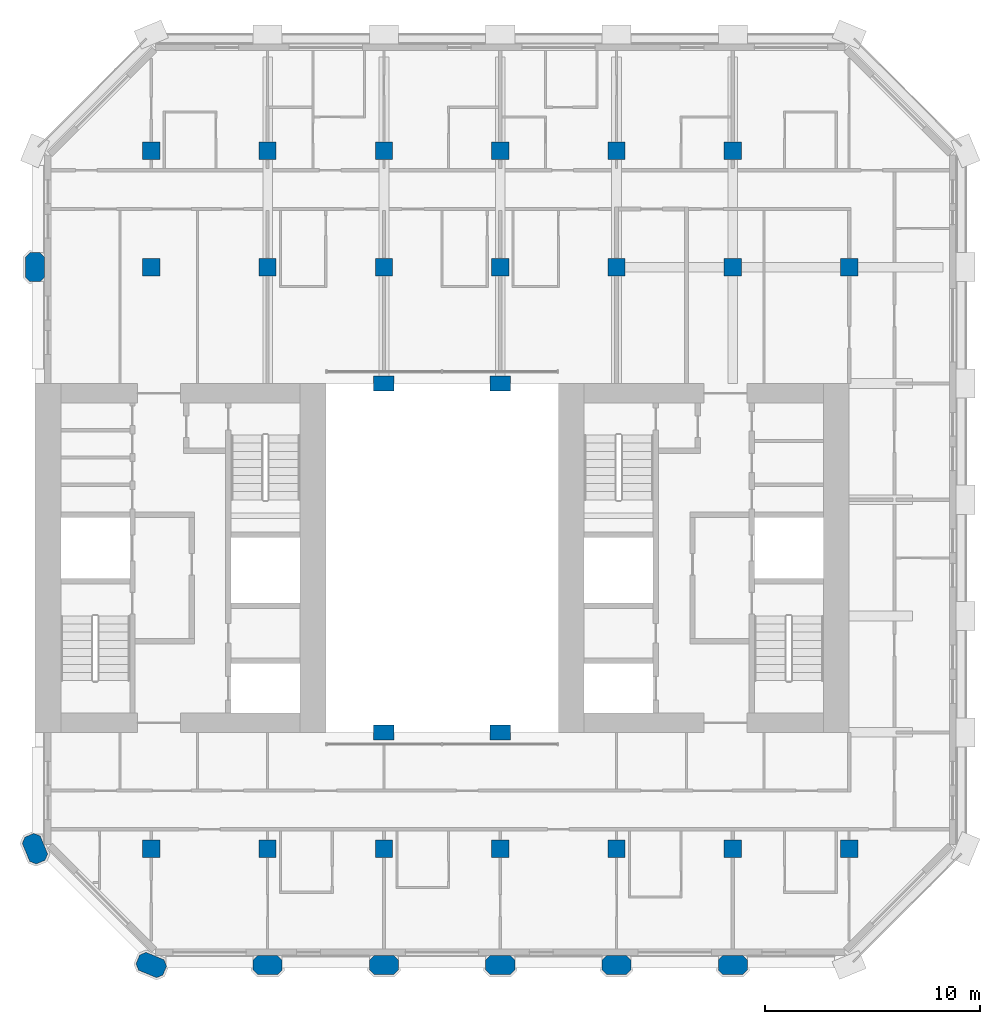
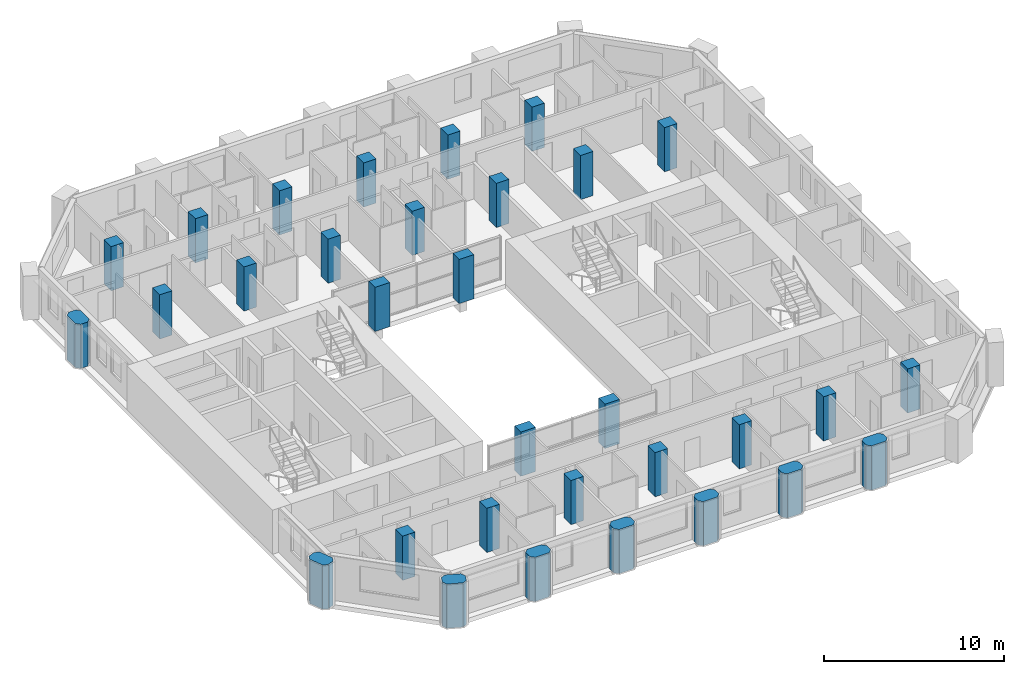
# One storey, part 1 of 13: 32 columns.
"""IFC4 building model written with IfcOpenShell, lengths in metres."""

import ifcopenshell
import ifcopenshell.guid

model = None  # the IFC model being written
_history = None  # IfcOwnerHistory: only IFC2X3 demands one
_inside = {}  # id of a spatial element -> (the spatial element, [elements in it])
_under = {}  # id of a project, library or spatial element -> (it, [spatial elements below it])
_declared = {}  # id of a project -> (the project, [libraries it declares])
_typed = {}  # id of a type object -> (the type object, [elements of that type])
_made_of = {}  # id of a material, layer set ... -> (it, [elements and type objects made of it])


def new_model(schema):
    """Start an empty IFC model of exactly this schema.

    Asked for "IFC4X3", IfcOpenShell would pick the latest addendum, in which some entities
    have other attributes; the version numbers below select the first issue.
    IFC2X3 requires an IfcOwnerHistory on every rooted entity: one is made here for all.
    """
    global model, _history
    if schema == "IFC4X3":
        model = ifcopenshell.file(schema_version=(4, 3, 0, 0))
    else:
        model = ifcopenshell.file(schema=schema)
    _inside.clear()
    _under.clear()
    _declared.clear()
    _typed.clear()
    _made_of.clear()
    _history = None
    if model.schema == "IFC2X3":
        org = make("IfcOrganization", Name="unknown")
        user = make(
            "IfcPersonAndOrganization",
            ThePerson=make("IfcPerson", FamilyName="unknown"),
            TheOrganization=org,
        )
        app = make(
            "IfcApplication",
            ApplicationDeveloper=org,
            Version="unknown",
            ApplicationFullName="unknown",
            ApplicationIdentifier="unknown",
        )
        _history = make(
            "IfcOwnerHistory",
            OwningUser=user,
            OwningApplication=app,
            ChangeAction="ADDED",
            CreationDate=0,
        )
    return model


def make(cls, **values):
    """One entity of the class cls with the attributes given. An attribute that is None is left unset."""
    return model.create_entity(
        cls, **{name: value for name, value in values.items() if value is not None}
    )


def rooted(cls, **values):
    """An entity with a GlobalId (a new one), such as an element, a storey or a relation."""
    return make(cls, GlobalId=ifcopenshell.guid.new(), OwnerHistory=_history, **values)


def si_unit(unit_type, name, prefix=None):
    """IfcSIUnit, for example si_unit("LENGTHUNIT", "METRE", prefix="MILLI")."""
    return make("IfcSIUnit", UnitType=unit_type, Prefix=prefix, Name=name)


def assignment(units):
    """IfcUnitAssignment: the units of a project."""
    return None if units is None else make("IfcUnitAssignment", Units=units)


def point(xyz):
    """IfcCartesianPoint."""
    return None if xyz is None else make("IfcCartesianPoint", Coordinates=xyz)


def direction(xyz):
    """IfcDirection."""
    return None if xyz is None else make("IfcDirection", DirectionRatios=xyz)


def frame(location, z_axis=None, x_axis=None):
    """IfcAxis2Placement3D, a coordinate frame: its origin and axes. An axis left out is left unset."""
    return make(
        "IfcAxis2Placement3D",
        Location=point(location),
        Axis=direction(z_axis),
        RefDirection=direction(x_axis),
    )


def frame_2d(location, x_axis=None):
    """IfcAxis2Placement2D, a coordinate frame in the plane: its origin and x axis."""
    return make(
        "IfcAxis2Placement2D", Location=point(location), RefDirection=direction(x_axis)
    )


def origin():
    """The frame at (0, 0, 0) with its axes left unset."""
    return frame((0.0, 0.0, 0.0))


def origin_2d():
    """The frame at (0, 0) in the plane with its x axis left unset."""
    return frame_2d((0.0, 0.0))


def place(relative_to, where):
    """IfcLocalPlacement: puts the frame where relative to a parent placement (None: the world)."""
    return make(
        "IfcLocalPlacement", PlacementRelTo=relative_to, RelativePlacement=where
    )


def context(
    kind, dimensions, precision=None, world=None, true_north=None, identifier=None
):
    """IfcGeometricRepresentationContext, for example the 3D "Model" context."""
    return make(
        "IfcGeometricRepresentationContext",
        ContextIdentifier=identifier,
        ContextType=kind,
        CoordinateSpaceDimension=dimensions,
        Precision=precision,
        WorldCoordinateSystem=world,
        TrueNorth=true_north,
    )


def subcontext(parent, identifier, kind, view, scale=None):
    """IfcGeometricRepresentationSubContext, for example "Body" below "Model"."""
    return make(
        "IfcGeometricRepresentationSubContext",
        ContextIdentifier=identifier,
        ContextType=kind,
        ParentContext=parent,
        TargetScale=scale,
        TargetView=view,
    )


def project(units=None, contexts=None):
    """IfcProject with its units and contexts."""
    return rooted(
        "IfcProject",
        Name="project",
        RepresentationContexts=contexts,
        UnitsInContext=assignment(units),
    )


def spatial(cls, under=None, at=None, **own):
    """A site, building, storey or space (cls), placed at a placement, below another one or the project."""
    s = rooted(cls, ObjectPlacement=at, **own)
    if under is not None:
        _under.setdefault(under.id(), (under, []))[1].append(s)
    return s


def polyline(points):
    """IfcPolyline through the points."""
    return make("IfcPolyline", Points=[point(p) for p in points])


def profile(cls, at=None, kind="AREA", **sizes):
    """A parametric profile (cls). Its sizes go by their IFC names, for example OverallWidth=200.0."""
    return make(cls, ProfileType=kind, Position=at, **sizes)


def rectangle(**sizes):
    """IfcRectangleProfileDef."""
    return profile("IfcRectangleProfileDef", **sizes)


def outline(outer, holes=None, kind="AREA"):
    """IfcArbitraryClosedProfileDef: a profile drawn as a closed curve; with holes, ...WithVoids."""
    if holes is None:
        return make("IfcArbitraryClosedProfileDef", ProfileType=kind, OuterCurve=outer)
    return make(
        "IfcArbitraryProfileDefWithVoids",
        ProfileType=kind,
        OuterCurve=outer,
        InnerCurves=holes,
    )


def extrude(swept, where, along, depth):
    """IfcExtrudedAreaSolid: the profile swept, set in the frame where, extruded along a direction by depth."""
    return make(
        "IfcExtrudedAreaSolid",
        SweptArea=swept,
        Position=where,
        ExtrudedDirection=direction(along),
        Depth=depth,
    )


def shape(context_of_items, identifier, shape_type, items):
    """IfcShapeRepresentation: the items that make up one representation, for example the "Body"."""
    return make(
        "IfcShapeRepresentation",
        ContextOfItems=context_of_items,
        RepresentationIdentifier=identifier,
        RepresentationType=shape_type,
        Items=items,
    )


def material(Name=None, Category=None):
    """IfcMaterial."""
    return make("IfcMaterial", Name=Name, Category=Category)


def material_profile(
    of_material, cross_section, Name=None, Category=None, Priority=None
):
    """IfcMaterialProfile: a cross section and its material."""
    return make(
        "IfcMaterialProfile",
        Name=Name,
        Material=of_material,
        Profile=cross_section,
        Priority=Priority,
        Category=Category,
    )


def profile_set(profiles, Name=None, composite=None):
    """IfcMaterialProfileSet."""
    return make(
        "IfcMaterialProfileSet",
        Name=Name,
        MaterialProfiles=profiles,
        CompositeProfile=composite,
    )


def made_of(thing, what):
    """Note that an element or type object is made of a material, layer set ...; save() writes the relation."""
    if what is not None:
        _made_of.setdefault(what.id(), (what, []))[1].append(thing)
    return thing


def type_object(cls, material=None, **own):
    """A type object (cls), such as IfcWallType, which elements share."""
    return made_of(rooted(cls, **own), material)


def element(
    cls,
    number,
    at=None,
    inside=None,
    cuts=None,
    type_object=None,
    material=None,
    context=None,
    identifier="Body",
    shape_type=None,
    held_by="IfcProductDefinitionShape",
    body=None,
    shapes=None,
    **own,
):
    """One element of the class cls, such as IfcWall. Its Tag is "e" and its number.

    at: its placement. inside: the storey or other place that contains it. cuts: it is an
    opening in that element (IfcRelVoidsElement). A single representation is given by context,
    identifier, shape_type and body (its items); several are given by shapes. held_by: the class
    of the entity that holds the representations. save() writes the other relations.
    """
    e = rooted(cls, Tag="e%d" % number, ObjectPlacement=at, **own)
    if body is not None:
        shapes = [shape(context, identifier, shape_type, body)]
    if shapes is not None:
        e.Representation = make(held_by, Representations=shapes)
    if inside is not None:
        _inside.setdefault(inside.id(), (inside, []))[1].append(e)
    if cuts is not None:
        rooted(
            "IfcRelVoidsElement", RelatingBuildingElement=cuts, RelatedOpeningElement=e
        )
    if type_object is not None:
        _typed.setdefault(type_object.id(), (type_object, []))[1].append(e)
    return made_of(e, material)


def aggregate(whole, parts):
    """IfcRelAggregates: a whole, such as a stair, and the parts it consists of."""
    return rooted("IfcRelAggregates", RelatingObject=whole, RelatedObjects=parts)


def save(model, path):
    """Write the relations noted so far, then the file.

    IfcRelAggregates (storeys below a building ...), IfcRelContainedInSpatialStructure (elements
    in a storey), IfcRelDefinesByType, IfcRelAssociatesMaterial and IfcRelDeclares: one each for
    every whole, place, type object, material and project.
    """
    for whole, parts in _under.values():
        aggregate(whole, parts)
    for where, things in _inside.values():
        rooted(
            "IfcRelContainedInSpatialStructure",
            RelatedElements=things,
            RelatingStructure=where,
        )
    for kind, things in _typed.values():
        rooted("IfcRelDefinesByType", RelatedObjects=things, RelatingType=kind)
    for what, things in _made_of.values():
        rooted("IfcRelAssociatesMaterial", RelatedObjects=things, RelatingMaterial=what)
    for by, libraries in _declared.values():
        rooted("IfcRelDeclares", RelatingContext=by, RelatedDefinitions=libraries)
    model.write(path)


model = new_model("IFC4")

# Units and contexts
model_context = context("Model", 3, precision=1e-05, world=origin(), true_north=direction((0.0, 1.0)))
body_context = subcontext(model_context, "Body", "Model", "MODEL_VIEW")
ifc_project = project(units=[si_unit("LENGTHUNIT", "METRE"), si_unit("AREAUNIT", "SQUARE_METRE"), si_unit("VOLUMEUNIT", "CUBIC_METRE"), si_unit("PLANEANGLEUNIT", "RADIAN"), si_unit("MASSUNIT", "GRAM", prefix="KILO")], contexts=[model_context])

# Site, building, storey
site_placement = place(None, origin())
site = spatial("IfcSite", under=ifc_project, at=site_placement, CompositionType="ELEMENT")
building_placement = place(site_placement, origin())
building = spatial("IfcBuilding", under=site, at=building_placement, Name="Tabaq Tower and Sports Hall", CompositionType="ELEMENT")
storey_placement = place(building_placement, frame((0.0, 0.0, 200.5)))
storey = spatial("IfcBuildingStorey", under=building, at=storey_placement, Name="L49", CompositionType="ELEMENT", Elevation=200.5)

# Columns
ifc_material_1 = material(Name="Concrete C50/60", Category="concrete")
ifc_material_profile_1 = material_profile(ifc_material_1, rectangle(XDim=0.949951171875, YDim=0.699951171875, at=origin_2d()), Name="ATRIUM COLUMN 950x700")
ifc_profile_set_1 = profile_set([ifc_material_profile_1], Name="Concrete C50/60")
column_type_1 = type_object("IfcColumnType", Name="RC COLUMN ATRIUM COLUMN 950x700 C50/60", PredefinedType="COLUMN", material=ifc_profile_set_1)
for number, where, z_axis, x_axis, name in (
    (1, (21.60009765625, 16.199951171875, 0.0), (0.0, 0.0, 1.0), (1.0, 0.0, 0.0), "Atrium Column 5/D L49"),
    (2, (27.0, 16.199951171875, 0.0), (0.0, 0.0, 1.0), (1.0, 0.0, 0.0), "Atrium Column 6/D L49"),
    (3, (21.60009765625, 32.39990234375, 0.0), (0.0, 0.0, 1.0), (1.0, 0.0, 0.0), "Atrium Column 5/G L49"),
    (4, (27.0, 32.39990234375, 0.0), (0.0, 0.0, 1.0), (1.0, 0.0, 0.0), "Atrium Column 6/G L49"),
):
    element("IfcColumn", number, at=place(storey_placement, frame(where, z_axis=z_axis, x_axis=x_axis)), inside=storey, type_object=column_type_1, Name=name, PredefinedType="COLUMN", context=body_context, shape_type="SweptSolid", body=[
        extrude(rectangle(XDim=0.949951171875, YDim=0.699951171875, at=origin_2d()), origin(), (0.0, 0.0, 1.0), 3.0),
    ])
ifc_material_2 = material(Name="Concrete C50/60", Category="concrete")
ifc_material_profile_2 = material_profile(ifc_material_2, rectangle(XDim=0.800048828125, YDim=0.800048828125, at=origin_2d()), Name="COLUMN 800x800")
ifc_profile_set_2 = profile_set([ifc_material_profile_2], Name="Concrete C50/60")
column_type_2 = type_object("IfcColumnType", Name="RC COLUMN COLUMN 800x800 C50/60", PredefinedType="COLUMN", material=ifc_profile_set_2)
for number, where, z_axis, x_axis, name in (
    (5, (10.800048828125, 10.800048828125, 0.0), (0.0, 0.0, 1.0), (1.0, 0.0, 0.0), "Column 3/C L49"),
    (6, (16.199951171875, 10.800048828125, 0.0), (0.0, 0.0, 1.0), (1.0, 0.0, 0.0), "Column 4/C L49"),
    (7, (21.60009765625, 10.800048828125, 0.0), (0.0, 0.0, 1.0), (1.0, 0.0, 0.0), "Column 5/C L49"),
    (8, (27.0, 10.800048828125, 0.0), (0.0, 0.0, 1.0), (1.0, 0.0, 0.0), "Column 6/C L49"),
    (9, (32.39990234375, 10.800048828125, 0.0), (0.0, 0.0, 1.0), (1.0, 0.0, 0.0), "Column 7/C L49"),
    (10, (37.800048828125, 10.800048828125, 0.0), (0.0, 0.0, 1.0), (1.0, 0.0, 0.0), "Column 8/C L49"),
    (11, (43.199951171875, 10.800048828125, 0.0), (0.0, 0.0, 1.0), (1.0, 0.0, 0.0), "Column 9/C L49"),
    (12, (10.800048828125, 37.800048828125, 0.0), (0.0, 0.0, 1.0), (1.0, 0.0, 0.0), "Column 3/H L49"),
    (13, (16.199951171875, 37.800048828125, 0.0), (0.0, 0.0, 1.0), (1.0, 0.0, 0.0), "Column 4/H L49"),
    (14, (21.60009765625, 37.800048828125, 0.0), (0.0, 0.0, 1.0), (1.0, 0.0, 0.0), "Column 5/H L49"),
    (15, (27.0, 37.800048828125, 0.0), (0.0, 0.0, 1.0), (1.0, 0.0, 0.0), "Column 6/H L49"),
    (16, (32.39990234375, 37.800048828125, 0.0), (0.0, 0.0, 1.0), (1.0, 0.0, 0.0), "Column 7/H L49"),
    (17, (37.800048828125, 37.800048828125, 0.0), (0.0, 0.0, 1.0), (1.0, 0.0, 0.0), "Column 8/H L49"),
    (18, (43.199951171875, 37.800048828125, 0.0), (0.0, 0.0, 1.0), (1.0, 0.0, 0.0), "Column 9/H L49"),
    (19, (10.800048828125, 43.199951171875, 0.0), (0.0, 0.0, 1.0), (1.0, 0.0, 0.0), "Column 3/I L49"),
    (20, (16.199951171875, 43.199951171875, 0.0), (0.0, 0.0, 1.0), (1.0, 0.0, 0.0), "Column 4/I L49"),
    (21, (21.60009765625, 43.199951171875, 0.0), (0.0, 0.0, 1.0), (1.0, 0.0, 0.0), "Column 5/I L49"),
    (22, (27.0, 43.199951171875, 0.0), (0.0, 0.0, 1.0), (1.0, 0.0, 0.0), "Column 6/I L49"),
    (23, (32.39990234375, 43.199951171875, 0.0), (0.0, 0.0, 1.0), (1.0, 0.0, 0.0), "Column 7/I L49"),
    (24, (37.800048828125, 43.199951171875, 0.0), (0.0, 0.0, 1.0), (1.0, 0.0, 0.0), "Column 8/I L49"),
):
    element("IfcColumn", number, at=place(storey_placement, frame(where, z_axis=z_axis, x_axis=x_axis)), inside=storey, type_object=column_type_2, Name=name, PredefinedType="COLUMN", context=body_context, shape_type="SweptSolid", body=[
        extrude(rectangle(XDim=0.800048828125, YDim=0.800048828125, at=origin_2d()), origin(), (0.0, 0.0, 1.0), 3.0),
    ])
ifc_material_3 = material(Name="Concrete C50/60", Category="concrete")
ifc_material_profile_3 = material_profile(ifc_material_3, outline(polyline([(-0.449951171875, -0.449951171875), (0.449951171875, -0.449951171875), (0.675048828125, -0.22509765625), (0.675048828125, 0.22509765625), (0.449951171875, 0.449951171875), (-0.449951171875, 0.449951171875), (-0.675048828125, 0.22509765625), (-0.675048828125, -0.22509765625), (-0.449951171875, -0.449951171875)])), Name="PIER 1350x900")
ifc_profile_set_3 = profile_set([ifc_material_profile_3], Name="Concrete C50/60")
column_type_3 = type_object("IfcColumnType", Name="RC COLUMN PIER 1350x900 C50/60", PredefinedType="COLUMN", material=ifc_profile_set_3)
for number, where, z_axis, x_axis, name in (
    (25, (10.800048828125, 5.39990234375, 0.0), (0.0, 0.0, 1.0), (-0.923879532511, 0.382683432365, 0.0), "Pier 3/B L49"),
    (26, (16.199951171875, 5.39990234375, 0.0), (0.0, 0.0, 1.0), (1.0, 0.0, 0.0), "Pier 4/B L49"),
    (27, (21.60009765625, 5.39990234375, 0.0), (0.0, 0.0, 1.0), (1.0, 0.0, 0.0), "Pier 5/B L49"),
    (28, (27.0, 5.39990234375, 0.0), (0.0, 0.0, 1.0), (1.0, 0.0, 0.0), "Pier 6/B L49"),
    (29, (32.39990234375, 5.39990234375, 0.0), (0.0, 0.0, 1.0), (1.0, 0.0, 0.0), "Pier 7/B L49"),
    (30, (37.800048828125, 5.39990234375, 0.0), (0.0, 0.0, 1.0), (1.0, 0.0, 0.0), "Pier 8/B L49"),
    (31, (5.39990234375, 10.800048828125, 0.0), (0.0, 0.0, 1.0), (-0.382683432365, 0.923879532511, 0.0), "Pier 2/C L49"),
    (32, (5.39990234375, 37.800048828125, 0.0), (0.0, 0.0, 1.0), (0.0, 1.0, 0.0), "Pier 2/H L49"),
):
    element("IfcColumn", number, at=place(storey_placement, frame(where, z_axis=z_axis, x_axis=x_axis)), inside=storey, type_object=column_type_3, Name=name, PredefinedType="COLUMN", context=body_context, shape_type="SweptSolid", body=[
        extrude(outline(polyline([(-0.449951171875, -0.449951171875), (0.449951171875, -0.449951171875), (0.675048828125, -0.22509765625), (0.675048828125, 0.22509765625), (0.449951171875, 0.449951171875), (-0.449951171875, 0.449951171875), (-0.675048828125, 0.22509765625), (-0.675048828125, -0.22509765625), (-0.449951171875, -0.449951171875)])), origin(), (0.0, 0.0, 1.0), 3.0),
    ])

save(model, "model.ifc")
